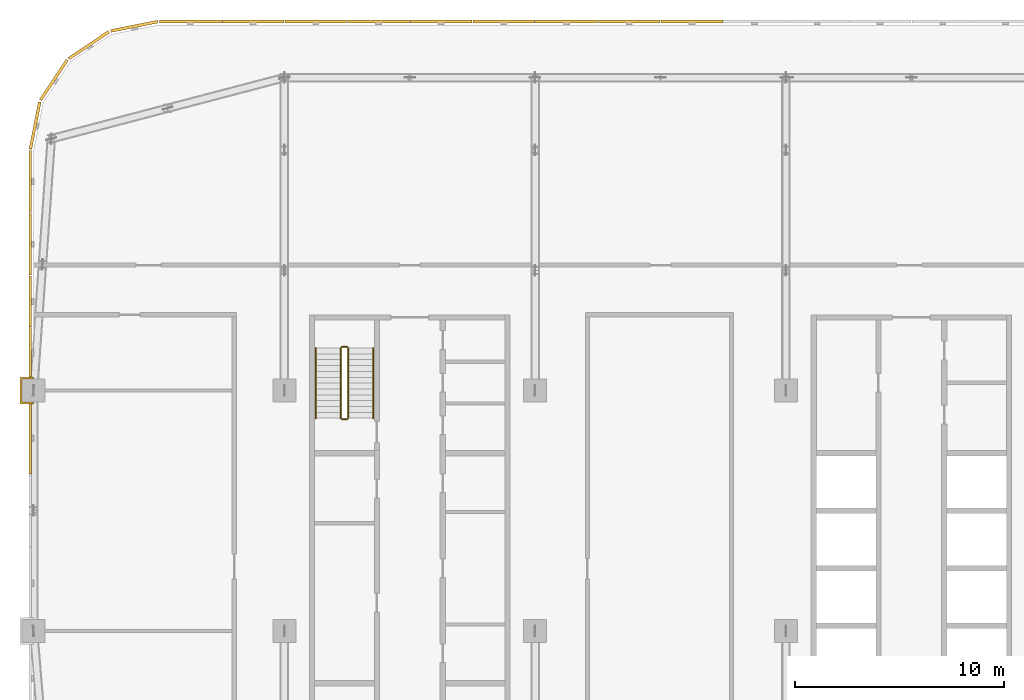
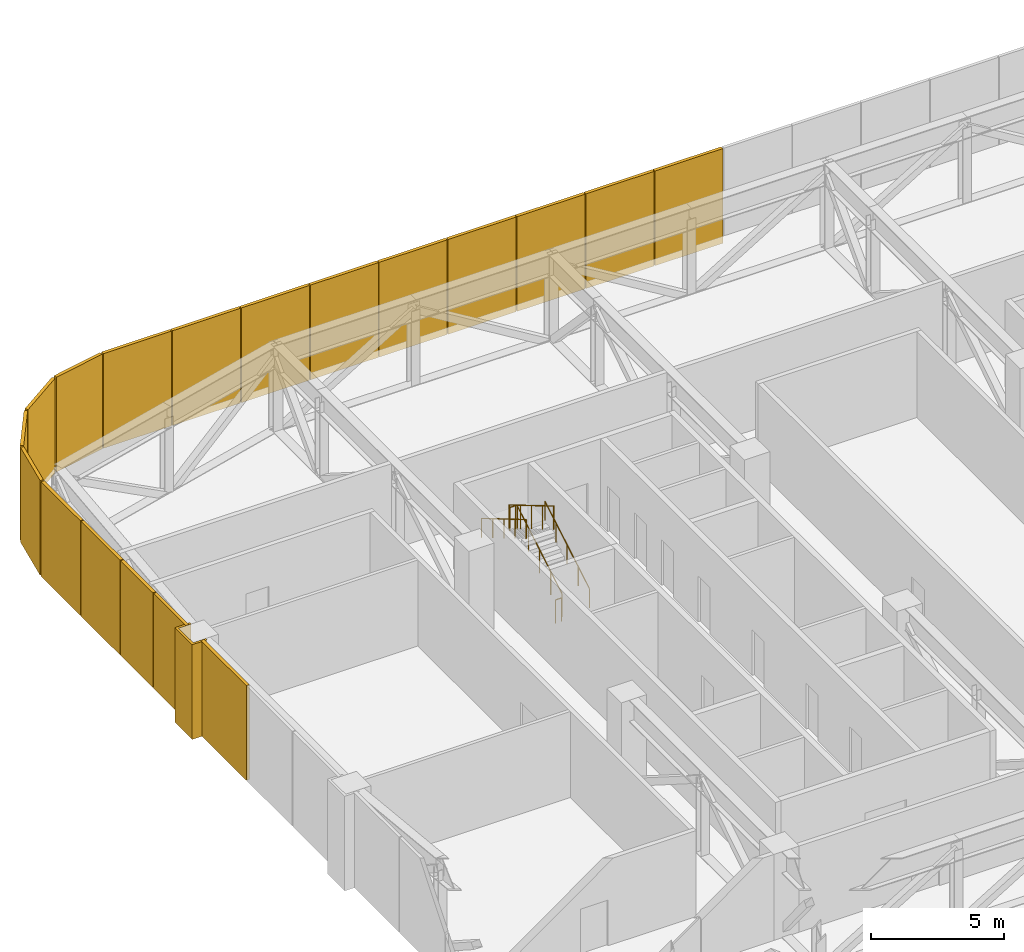
# One storey, part 25 of 28: 19 coverings, 6 railings.
"""IFC4 building model written with IfcOpenShell, lengths in metres."""

from ifc_helpers import new_model, si_unit, direction, frame, origin, origin_2d, place, context, subcontext, project, spatial, polyline, rectangle, circle, outline, extrude, material, layer, layer_set, type_object, element, save


model = new_model("IFC4")

# Units and contexts
model_context = context("Model", 3, precision=1e-05, world=origin(), true_north=direction((0.0, 1.0)))
body_context = subcontext(model_context, "Body", "Model", "MODEL_VIEW")
ifc_project = project(units=[si_unit("LENGTHUNIT", "METRE"), si_unit("AREAUNIT", "SQUARE_METRE"), si_unit("VOLUMEUNIT", "CUBIC_METRE"), si_unit("PLANEANGLEUNIT", "RADIAN"), si_unit("MASSUNIT", "GRAM", prefix="KILO")], contexts=[model_context])

# Site, building, storey
site_placement = place(None, origin())
site = spatial("IfcSite", under=ifc_project, at=site_placement, CompositionType="ELEMENT")
building_placement = place(site_placement, origin())
building = spatial("IfcBuilding", under=site, at=building_placement, Name="Mahtab Terrace Research Tower", CompositionType="ELEMENT")
storey_placement = place(building_placement, frame((0.0, 0.0, 224.300048828125)))
storey = spatial("IfcBuildingStorey", under=building, at=storey_placement, Name="L54", CompositionType="ELEMENT", Elevation=224.300048828125)

# Coverings
ifc_material_1 = material(Name="Dark anodised aluminium cladding", Category="aluminium")
ifc_layer = layer(ifc_material_1, 0.10009765625)
ifc_layer_set = layer_set([ifc_layer], Name="Column casing 100")
covering_type_1 = type_object("IfcCoveringType", Name="Column casing 100", PredefinedType="CLADDING", material=ifc_layer_set)
covering_1_placement = place(storey_placement, frame((0.0, 0.0, -0.400146484375)))
element("IfcCovering", 1, at=covering_1_placement, inside=storey, type_object=covering_type_1, Name="Column casing RC-1C L54", PredefinedType="CLADDING", context=body_context, shape_type="SweptSolid", body=[
    extrude(outline(polyline([(-42.64990234375, 12.14990234375), (-42.0, 12.14990234375), (-42.0, 12.050048828125), (-42.550048828125, 12.050048828125), (-42.550048828125, 10.949951171875), (-42.0, 10.949951171875), (-42.0, 10.85009765625), (-42.64990234375, 10.85009765625), (-42.64990234375, 12.14990234375)])), origin(), (0.0, 0.0, 1.0), 4.360107421875),
])
ifc_material_2 = material(Name="Natural anodised aluminium", Category="aluminium")
covering_type_2 = type_object("IfcCoveringType", Name="Plant storey louvre bay", PredefinedType="CLADDING", material=ifc_material_2)
for number, where, z_axis, x_axis, name in (
    (2, (-10.5, 29.159912109375, -0.39990234375), (0.0, 0.0, 1.0), (-1.0, 0.0, 0.0), "Louvre bay L54 26"),
    (3, (-13.5, 29.159912109375, -0.39990234375), (0.0, 0.0, 1.0), (-1.0, 0.0, 0.0), "Louvre bay L54 27"),
    (4, (-16.5, 29.159912109375, -0.39990234375), (0.0, 0.0, 1.0), (-1.0, 0.0, 0.0), "Louvre bay L54 28"),
    (5, (-19.5, 29.159912109375, -0.39990234375), (0.0, 0.0, 1.0), (-1.0, 0.0, 0.0), "Louvre bay L54 29"),
    (6, (-22.5, 29.159912109375, -0.39990234375), (0.0, 0.0, 1.0), (-1.0, 0.0, 0.0), "Louvre bay L54 30"),
    (7, (-25.5, 29.159912109375, -0.39990234375), (0.0, 0.0, 1.0), (-1.0, 0.0, 0.0), "Louvre bay L54 31"),
    (8, (-28.5, 29.159912109375, -0.39990234375), (0.0, 0.0, 1.0), (-1.0, 0.0, 0.0), "Louvre bay L54 32"),
    (9, (-31.5, 29.159912109375, -0.39990234375), (0.0, 0.0, 1.0), (-1.0, 0.0, 0.0), "Louvre bay L54 33"),
    (10, (-34.5, 29.159912109375, -0.39990234375), (0.0, 0.0, 1.0), (-1.0, 0.0, 0.0), "Louvre bay L54 34"),
):
    element("IfcCovering", number, at=place(storey_placement, frame(where, z_axis=z_axis, x_axis=x_axis)), inside=storey, type_object=covering_type_2, Name=name, PredefinedType="CLADDING", context=body_context, shape_type="SweptSolid", body=[
        extrude(rectangle(XDim=2.9599609375, YDim=0.139892578125, at=origin_2d()), origin(), (0.0, 0.0, 1.0), 4.360107421875),
    ])
for number, where, z_axis, x_axis, name in (
    (11, (-37.17919921875, 28.928466796875, -0.39990234375), (0.0, 0.0, 1.0), (-0.980760981187, -0.195212442692, 0.0), "Louvre bay L54 35"),
    (12, (-39.3583984375, 28.026123046875, -0.39990234375), (0.0, 0.0, 1.0), (-0.831655794326, -0.555291490808, 0.0), "Louvre bay L54 36"),
    (13, (-41.026123046875, 26.3583984375, -0.39990234375), (0.0, 0.0, 1.0), (-0.555291490808, -0.831655794326, 0.0), "Louvre bay L54 37"),
    (14, (-41.928466796875, 24.17919921875, -0.39990234375), (0.0, 0.0, 1.0), (-0.195212442692, -0.980760981187, 0.0), "Louvre bay L54 38"),
):
    element("IfcCovering", number, at=place(storey_placement, frame(where, z_axis=z_axis, x_axis=x_axis)), inside=storey, type_object=covering_type_2, Name=name, PredefinedType="CLADDING", context=body_context, shape_type="SweptSolid", body=[
        extrude(rectangle(XDim=2.301025390625, YDim=0.139892578125, at=origin_2d()), origin(), (0.0, 0.0, 1.0), 4.360107421875),
    ])
for number, where, z_axis, x_axis, name in (
    (15, (-42.159912109375, 21.5, -0.39990234375), (0.0, 0.0, 1.0), (0.0, -1.0, 0.0), "Louvre bay L54 39"),
    (16, (-42.159912109375, 18.5, -0.39990234375), (0.0, 0.0, 1.0), (0.0, -1.0, 0.0), "Louvre bay L54 40"),
):
    element("IfcCovering", number, at=place(storey_placement, frame(where, z_axis=z_axis, x_axis=x_axis)), inside=storey, type_object=covering_type_2, Name=name, PredefinedType="CLADDING", context=body_context, shape_type="SweptSolid", body=[
        extrude(rectangle(XDim=2.9599609375, YDim=0.139892578125, at=origin_2d()), origin(), (0.0, 0.0, 1.0), 4.360107421875),
    ])
for number, where, z_axis, x_axis, name in (
    (17, (-42.159912109375, 15.762451171875, -0.39990234375), (0.0, 0.0, 1.0), (0.0, -1.0, 0.0), "Louvre bay L54 41"),
    (18, (-42.159912109375, 13.28759765625, -0.39990234375), (0.0, 0.0, 1.0), (0.0, -1.0, 0.0), "Louvre bay L54 42"),
):
    element("IfcCovering", number, at=place(storey_placement, frame(where, z_axis=z_axis, x_axis=x_axis)), inside=storey, type_object=covering_type_2, Name=name, PredefinedType="CLADDING", context=body_context, shape_type="SweptSolid", body=[
        extrude(rectangle(XDim=2.43505859375, YDim=0.139892578125, at=origin_2d()), origin(), (0.0, 0.0, 1.0), 4.360107421875),
    ])
covering_2_placement = place(storey_placement, frame((-42.159912109375, 9.216552734375, -0.39990234375), z_axis=(0.0, 0.0, 1.0), x_axis=(0.0, -1.0, 0.0)))
element("IfcCovering", 19, at=covering_2_placement, inside=storey, type_object=covering_type_2, Name="Louvre bay L54 43", PredefinedType="CLADDING", context=body_context, shape_type="SweptSolid", body=[
    extrude(rectangle(XDim=3.4267578125, YDim=0.139892578125, at=origin_2d()), origin(), (0.0, 0.0, 1.0), 4.360107421875),
])

# Railings
ifc_material_3 = material(Name="Stainless steel AISI 304", Category="steel")
railing_type_1 = type_object("IfcRailingType", Name="Stair guard 1100", PredefinedType="GUARDRAIL", material=ifc_material_3)
railing_1_placement = place(storey_placement, frame((-26.949951171875, 10.175048828125, 0.165283203125)))
element("IfcRailing", 20, at=railing_1_placement, inside=storey, type_object=railing_type_1, Name="L54 ST1 stair guard 1", PredefinedType="GUARDRAIL", context=body_context, shape_type="SweptSolid", body=[
    extrude(circle(Radius=0.02392578125, at=origin_2d()), frame((0.0, 0.0, 1.076171875), z_axis=(0.0, 0.861011212953, 0.508585972249), x_axis=(-1.0, 0.0, 0.0)), (0.0, 0.0, 1.0), 3.90234375),
    extrude(circle(Radius=0.02099609375, at=origin_2d()), origin(), (0.0, 0.0, 1.0), 1.052001953125),
    extrude(circle(Radius=0.02099609375, at=origin_2d()), frame((0.0, 0.83984375, 0.49609375)), (0.0, 0.0, 1.0), 1.052001953125),
    extrude(circle(Radius=0.02099609375, at=origin_2d()), frame((0.0, 1.679931640625, 0.9921875)), (0.0, 0.0, 1.0), 1.052001953125),
    extrude(circle(Radius=0.02099609375, at=origin_2d()), frame((0.0, 2.52001953125, 1.488525390625)), (0.0, 0.0, 1.0), 1.052001953125),
    extrude(circle(Radius=0.02099609375, at=origin_2d()), frame((0.0, 3.35986328125, 1.984619140625)), (0.0, 0.0, 1.0), 1.052001953125),
])
railing_2_placement = place(storey_placement, frame((-27.0, 13.5849609375, 2.14990234375)))
element("IfcRailing", 21, at=railing_2_placement, inside=storey, type_object=railing_type_1, Name="L54 ST1 stair guard 2", PredefinedType="GUARDRAIL", context=body_context, shape_type="SweptSolid", body=[
    extrude(circle(Radius=0.02392578125, at=origin_2d()), frame((0.0, 0.0, 1.076171875), z_axis=(-1.0, 0.0, 0.0), x_axis=(0.0, -1.0, 0.0)), (0.0, 0.0, 1.0), 0.25),
    extrude(circle(Radius=0.02099609375, at=origin_2d()), origin(), (0.0, 0.0, 1.0), 1.052001953125),
    extrude(circle(Radius=0.02099609375, at=origin_2d()), frame((-0.25, 0.0, 0.0)), (0.0, 0.0, 1.0), 1.052001953125),
])
railing_3_placement = place(storey_placement, frame((-27.300048828125, 13.534912109375, 2.3154296875)))
element("IfcRailing", 22, at=railing_3_placement, inside=storey, type_object=railing_type_1, Name="L54 ST1 stair guard 3", PredefinedType="GUARDRAIL", context=body_context, shape_type="SweptSolid", body=[
    extrude(circle(Radius=0.02392578125, at=origin_2d()), frame((0.0, 0.0, 1.076171875), z_axis=(0.0, -0.861011212953, 0.508585972249), x_axis=(1.0, 0.0, 0.0)), (0.0, 0.0, 1.0), 3.90234375),
    extrude(circle(Radius=0.02099609375, at=origin_2d()), origin(), (0.0, 0.0, 1.0), 1.052001953125),
    extrude(circle(Radius=0.02099609375, at=origin_2d()), frame((0.0, -0.83984375, 0.49609375)), (0.0, 0.0, 1.0), 1.052001953125),
    extrude(circle(Radius=0.02099609375, at=origin_2d()), frame((0.0, -1.679931640625, 0.9921875)), (0.0, 0.0, 1.0), 1.052001953125),
    extrude(circle(Radius=0.02099609375, at=origin_2d()), frame((0.0, -2.52001953125, 1.488525390625)), (0.0, 0.0, 1.0), 1.052001953125),
    extrude(circle(Radius=0.02099609375, at=origin_2d()), frame((0.0, -3.35986328125, 1.984619140625)), (0.0, 0.0, 1.0), 1.052001953125),
])
railing_4_placement = place(storey_placement, frame((-27.0, 10.125, 0.0)))
element("IfcRailing", 23, at=railing_4_placement, inside=storey, type_object=railing_type_1, Name="L54 ST1 stair guard 4", PredefinedType="GUARDRAIL", context=body_context, shape_type="SweptSolid", body=[
    extrude(circle(Radius=0.02392578125, at=origin_2d()), frame((0.0, 0.0, 1.076171875), z_axis=(-1.0, 0.0, 0.0), x_axis=(0.0, -1.0, 0.0)), (0.0, 0.0, 1.0), 0.25),
    extrude(circle(Radius=0.02099609375, at=origin_2d()), origin(), (0.0, 0.0, 1.0), 1.052001953125),
    extrude(circle(Radius=0.02099609375, at=origin_2d()), frame((-0.25, 0.0, 0.0)), (0.0, 0.0, 1.0), 1.052001953125),
])
railing_type_2 = type_object("IfcRailingType", Name="Stair handrail 900", PredefinedType="HANDRAIL", material=ifc_material_3)
railing_5_placement = place(storey_placement, frame((-25.75, 10.175048828125, 0.165283203125)))
element("IfcRailing", 24, at=railing_5_placement, inside=storey, type_object=railing_type_2, Name="L54 ST1 stair handrail 1", PredefinedType="HANDRAIL", context=body_context, shape_type="SweptSolid", body=[
    extrude(circle(Radius=0.02392578125, at=origin_2d()), frame((0.0, 0.0, 0.8759765625), z_axis=(0.0, 0.861011212953, 0.508585972249), x_axis=(-1.0, 0.0, 0.0)), (0.0, 0.0, 1.0), 3.90234375),
    extrude(circle(Radius=0.02099609375, at=origin_2d()), origin(), (0.0, 0.0, 1.0), 0.851806640625),
    extrude(circle(Radius=0.02099609375, at=origin_2d()), frame((0.0, 0.83984375, 0.49609375)), (0.0, 0.0, 1.0), 0.851806640625),
    extrude(circle(Radius=0.02099609375, at=origin_2d()), frame((0.0, 1.679931640625, 0.9921875)), (0.0, 0.0, 1.0), 0.851806640625),
    extrude(circle(Radius=0.02099609375, at=origin_2d()), frame((0.0, 2.52001953125, 1.488525390625)), (0.0, 0.0, 1.0), 0.851806640625),
    extrude(circle(Radius=0.02099609375, at=origin_2d()), frame((0.0, 3.35986328125, 1.984619140625)), (0.0, 0.0, 1.0), 0.851806640625),
])
railing_6_placement = place(storey_placement, frame((-28.5, 13.534912109375, 2.3154296875)))
element("IfcRailing", 25, at=railing_6_placement, inside=storey, type_object=railing_type_2, Name="L54 ST1 stair handrail 2", PredefinedType="HANDRAIL", context=body_context, shape_type="SweptSolid", body=[
    extrude(circle(Radius=0.02392578125, at=origin_2d()), frame((0.0, 0.0, 0.8759765625), z_axis=(0.0, -0.861011212953, 0.508585972249), x_axis=(1.0, 0.0, 0.0)), (0.0, 0.0, 1.0), 3.90234375),
    extrude(circle(Radius=0.02099609375, at=origin_2d()), origin(), (0.0, 0.0, 1.0), 0.851806640625),
    extrude(circle(Radius=0.02099609375, at=origin_2d()), frame((0.0, -0.83984375, 0.49609375)), (0.0, 0.0, 1.0), 0.851806640625),
    extrude(circle(Radius=0.02099609375, at=origin_2d()), frame((0.0, -1.679931640625, 0.9921875)), (0.0, 0.0, 1.0), 0.851806640625),
    extrude(circle(Radius=0.02099609375, at=origin_2d()), frame((0.0, -2.52001953125, 1.488525390625)), (0.0, 0.0, 1.0), 0.851806640625),
    extrude(circle(Radius=0.02099609375, at=origin_2d()), frame((0.0, -3.35986328125, 1.984619140625)), (0.0, 0.0, 1.0), 0.851806640625),
])

save(model, "model.ifc")
